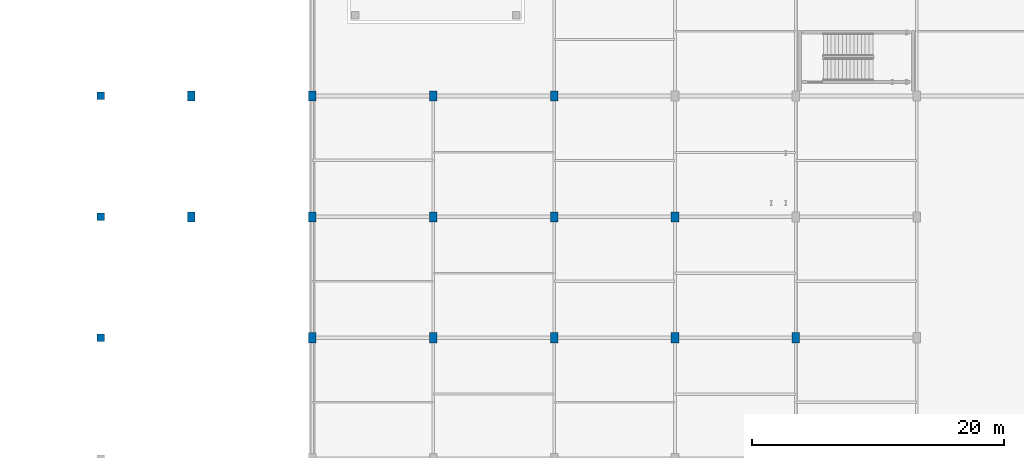
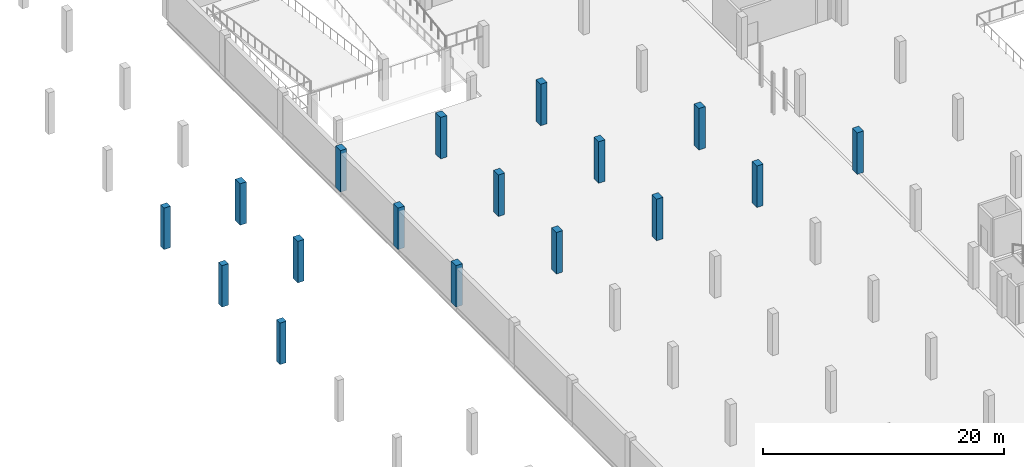
# One storey, part 10 of 47: 17 columns.
"""IFC4 building model written with IfcOpenShell, lengths in metres."""

from ifc_helpers import new_model, si_unit, direction, frame, origin, origin_2d, place, context, subcontext, project, spatial, rectangle, extrude, material, material_profile, profile_set, type_object, element, save


model = new_model("IFC4")

# Units and contexts
model_context = context("Model", 3, precision=1e-05, world=origin(), true_north=direction((0.0, 1.0)))
body_context = subcontext(model_context, "Body", "Model", "MODEL_VIEW")
ifc_project = project(units=[si_unit("LENGTHUNIT", "METRE"), si_unit("AREAUNIT", "SQUARE_METRE"), si_unit("VOLUMEUNIT", "CUBIC_METRE"), si_unit("PLANEANGLEUNIT", "RADIAN"), si_unit("MASSUNIT", "GRAM", prefix="KILO")], contexts=[model_context])

# Site, building, storey
site_placement = place(None, origin())
site = spatial("IfcSite", under=ifc_project, at=site_placement, CompositionType="ELEMENT")
building_placement = place(site_placement, origin())
building = spatial("IfcBuilding", under=site, at=building_placement, Name="Zevrakil Square Congress Hotel", CompositionType="ELEMENT")
storey_placement = place(building_placement, frame((0.0, 0.0, -4.199951171875)))
storey = spatial("IfcBuildingStorey", under=building, at=storey_placement, Name="B1", CompositionType="ELEMENT", Elevation=-4.199951171875)

# Columns
ifc_material_1 = material(Name="Concrete C40/50", Category="concrete")
ifc_material_profile_1 = material_profile(ifc_material_1, rectangle(XDim=0.60009765625, YDim=0.60009765625, at=origin_2d()), Name="RC 600x600")
ifc_profile_set_1 = profile_set([ifc_material_profile_1], Name="Concrete C40/50")
column_type_1 = type_object("IfcColumnType", Name="COL-RC600", PredefinedType="COLUMN", material=ifc_profile_set_1)
for number, where, z_axis, x_axis, name in (
    (1, (0.0, 64.800048828125, 0.0), (0.0, 0.0, 1.0), (1.0, 0.0, 0.0), "B1 column C-008"),
    (2, (0.0, 74.39990234375, 0.0), (0.0, 0.0, 1.0), (1.0, 0.0, 0.0), "B1 column C-009"),
    (3, (0.0, 84.0, 0.0), (0.0, 0.0, 1.0), (1.0, 0.0, 0.0), "B1 column C-010"),
):
    element("IfcColumn", number, at=place(storey_placement, frame(where, z_axis=z_axis, x_axis=x_axis)), inside=storey, type_object=column_type_1, Name=name, PredefinedType="COLUMN", context=body_context, shape_type="SweptSolid", body=[
        extrude(rectangle(XDim=0.60009765625, YDim=0.60009765625, at=origin_2d()), origin(), (0.0, 0.0, 1.0), 4.199951171875),
    ])
ifc_material_2 = material(Name="Concrete C40/50", Category="concrete")
ifc_material_profile_2 = material_profile(ifc_material_2, rectangle(XDim=0.60009765625, YDim=0.800048828125, at=origin_2d()), Name="RC 600x800")
ifc_profile_set_2 = profile_set([ifc_material_profile_2], Name="Concrete C40/50")
column_type_2 = type_object("IfcColumnType", Name="COL-RC600x800", PredefinedType="COLUMN", material=ifc_profile_set_2)
for number, where, z_axis, x_axis, name in (
    (4, (7.199951171875, 74.39990234375, 0.0), (0.0, 0.0, 1.0), (1.0, 0.0, 0.0), "B1 column C-020"),
    (5, (7.199951171875, 84.0, 0.0), (0.0, 0.0, 1.0), (1.0, 0.0, 0.0), "B1 column C-021"),
    (6, (16.800048828125, 64.800048828125, 0.0), (0.0, 0.0, 1.0), (1.0, 0.0, 0.0), "B1 column C-033"),
    (7, (16.800048828125, 74.39990234375, 0.0), (0.0, 0.0, 1.0), (1.0, 0.0, 0.0), "B1 column C-034"),
    (8, (16.800048828125, 84.0, 0.0), (0.0, 0.0, 1.0), (1.0, 0.0, 0.0), "B1 column C-035"),
    (9, (26.39990234375, 64.800048828125, 0.0), (0.0, 0.0, 1.0), (1.0, 0.0, 0.0), "B1 column C-047"),
    (10, (26.39990234375, 74.39990234375, 0.0), (0.0, 0.0, 1.0), (1.0, 0.0, 0.0), "B1 column C-048"),
    (11, (26.39990234375, 84.0, 0.0), (0.0, 0.0, 1.0), (1.0, 0.0, 0.0), "B1 column C-049"),
    (12, (36.0, 64.800048828125, 0.0), (0.0, 0.0, 1.0), (1.0, 0.0, 0.0), "B1 column C-060"),
    (13, (36.0, 74.39990234375, 0.0), (0.0, 0.0, 1.0), (1.0, 0.0, 0.0), "B1 column C-061"),
    (14, (36.0, 84.0, 0.0), (0.0, 0.0, 1.0), (1.0, 0.0, 0.0), "B1 column C-062"),
    (15, (45.60009765625, 64.800048828125, 0.0), (0.0, 0.0, 1.0), (1.0, 0.0, 0.0), "B1 column C-074"),
    (16, (45.60009765625, 74.39990234375, 0.0), (0.0, 0.0, 1.0), (1.0, 0.0, 0.0), "B1 column C-075"),
    (17, (55.199951171875, 64.800048828125, 0.0), (0.0, 0.0, 1.0), (1.0, 0.0, 0.0), "B1 column C-092"),
):
    element("IfcColumn", number, at=place(storey_placement, frame(where, z_axis=z_axis, x_axis=x_axis)), inside=storey, type_object=column_type_2, Name=name, PredefinedType="COLUMN", context=body_context, shape_type="SweptSolid", body=[
        extrude(rectangle(XDim=0.60009765625, YDim=0.800048828125, at=origin_2d()), origin(), (0.0, 0.0, 1.0), 4.199951171875),
    ])

save(model, "model.ifc")
